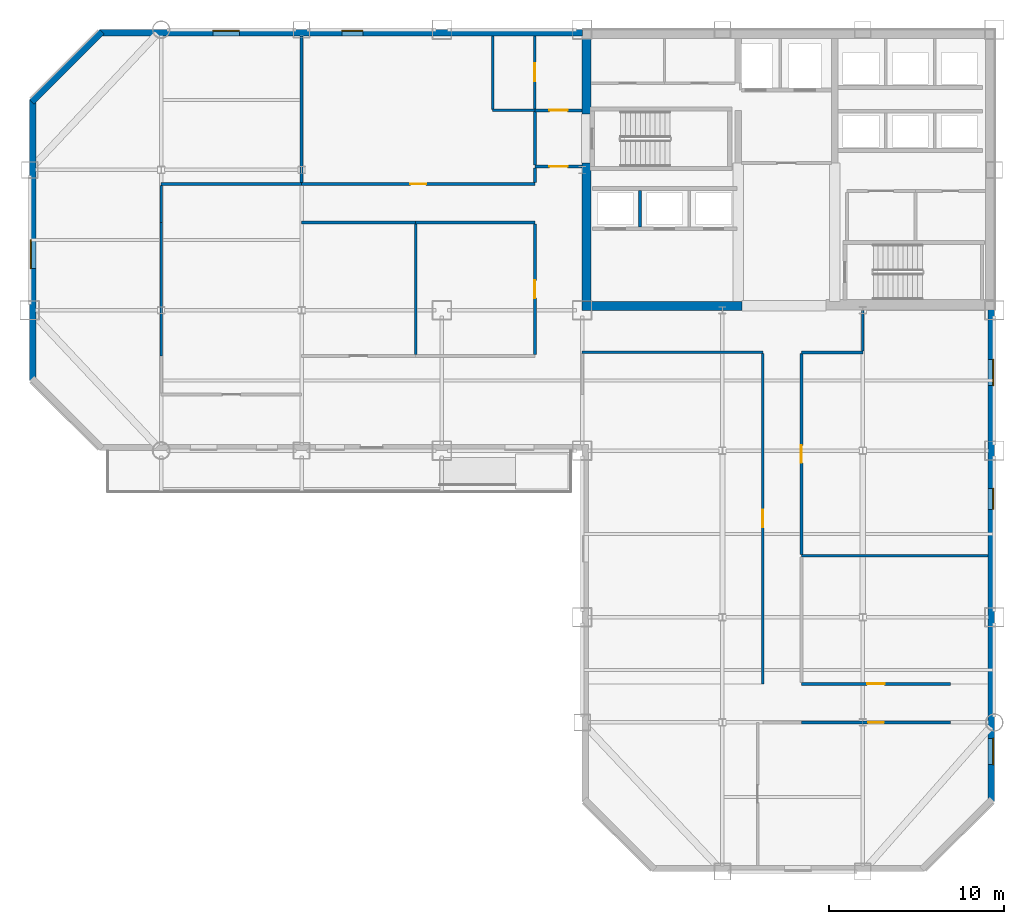
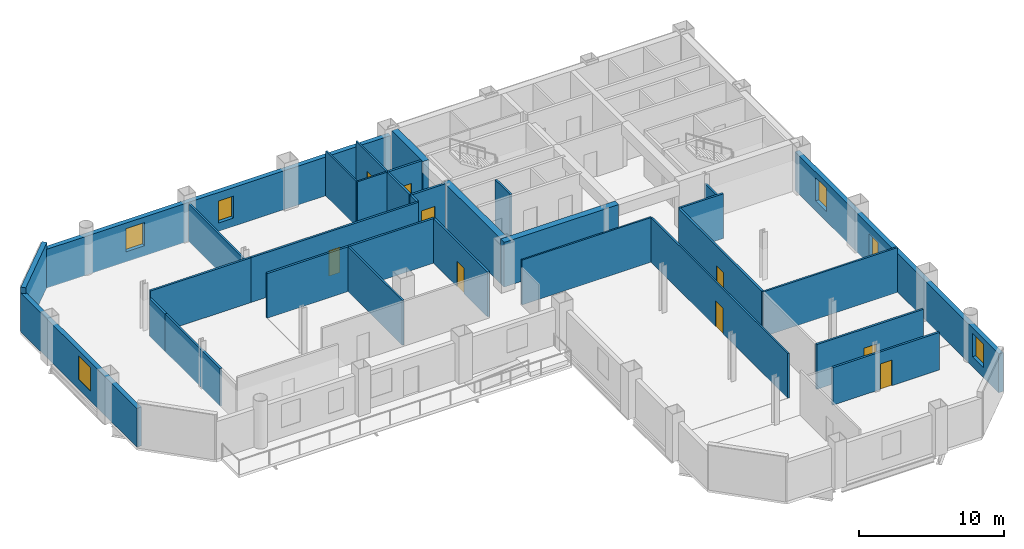
# One storey, part 6 of 10: 32 walls, 9 doors, 6 windows, 15 openings.
"""IFC4 building model written with IfcOpenShell, lengths in metres."""

from ifc_helpers import new_model, si_unit, direction, frame, frame_2d, origin, place, context, subcontext, project, spatial, rectangle, extrude, material, layer, layer_set, type_object, element, fill, save


model = new_model("IFC4")

# Units and contexts
model_context = context("Model", 3, precision=1e-05, world=origin(), true_north=direction((0.0, 1.0)))
body_context = subcontext(model_context, "Body", "Model", "MODEL_VIEW")
ifc_project = project(units=[si_unit("LENGTHUNIT", "METRE"), si_unit("AREAUNIT", "SQUARE_METRE"), si_unit("VOLUMEUNIT", "CUBIC_METRE"), si_unit("PLANEANGLEUNIT", "RADIAN"), si_unit("MASSUNIT", "GRAM", prefix="KILO")], contexts=[model_context])

# Site, building, storey
site_placement = place(None, origin())
site = spatial("IfcSite", under=ifc_project, at=site_placement, CompositionType="ELEMENT")
building_placement = place(site_placement, origin())
building = spatial("IfcBuilding", under=site, at=building_placement, Name="Qianrong Seaharbour Tower", CompositionType="ELEMENT")
storey_placement = place(building_placement, frame((0.0, 0.0, 151.0)))
storey = spatial("IfcBuildingStorey", under=building, at=storey_placement, Name="L36", CompositionType="ELEMENT", Elevation=151.0)

# Walls
ifc_material_1 = material(Name="Concrete C60/75", Category="concrete")
ifc_layer_1 = layer(ifc_material_1, 0.5)
ifc_layer_set_1 = layer_set([ifc_layer_1], Name="Concrete C60/75")
wall_type_1 = type_object("IfcWallType", Name="WALL-CORE-500", PredefinedType="SHEAR", material=ifc_layer_set_1)
wall_1_placement = place(storey_placement, frame((40.75, 36.5, 0.0), z_axis=(0.0, 0.0, 1.0), x_axis=(0.0, 1.0, 0.0)))
element("IfcWall", 1, at=wall_1_placement, inside=storey, type_object=wall_type_1, Name="L36 West Core Shear Wall South", PredefinedType="SHEAR", context=body_context, shape_type="SweptSolid", body=[
    extrude(rectangle(XDim=7.89990234375, YDim=0.5, at=frame_2d((3.949951171875, 0.0))), origin(), (0.0, 0.0, 1.0), 3.764892578125),
])
wall_2_placement = place(storey_placement, frame((40.75, 47.199951171875, 0.0), z_axis=(0.0, 0.0, 1.0), x_axis=(0.0, 1.0, 0.0)))
element("IfcWall", 2, at=wall_2_placement, inside=storey, type_object=wall_type_1, Name="L36 West Core Shear Wall North", PredefinedType="SHEAR", context=body_context, shape_type="SweptSolid", body=[
    extrude(rectangle(XDim=4.300048828125, YDim=0.5, at=frame_2d((2.14990234375, 0.0))), origin(), (0.0, 0.0, 1.0), 3.764892578125),
])
wall_3_placement = place(storey_placement, frame((40.5, 36.25, 0.0), z_axis=(0.0, 0.0, 1.0), x_axis=(1.0, 0.0, 0.0)))
element("IfcWall", 3, at=wall_3_placement, inside=storey, type_object=wall_type_1, Name="L36 South Core Shear Wall S1", PredefinedType="SHEAR", context=body_context, shape_type="SweptSolid", body=[
    extrude(rectangle(XDim=9.10009765625, YDim=0.5, at=frame_2d((4.550048828125, 0.0))), origin(), (0.0, 0.0, 1.0), 3.764892578125),
])

# Wall, opening, door
ifc_material_2 = material(Name="Fire-rated acoustic gypsum board partition")
ifc_layer_2 = layer(ifc_material_2, 0.1650390625)
ifc_layer_set_2 = layer_set([ifc_layer_2], Name="Fire-rated acoustic gypsum board partition")
wall_type_2 = type_object("IfcWallType", Name="WALL-CORR-PART-165", PredefinedType="PARTITIONING", material=ifc_layer_set_2)
wall_4_placement = place(storey_placement, frame((37.800048828125, 47.39990234375, 0.0), z_axis=(0.0, 0.0, 1.0), x_axis=(1.0, 0.0, 0.0)))
wall_4 = element("IfcWall", 4, at=wall_4_placement, inside=storey, type_object=wall_type_2, Name="L36 Interior Partition Wall 001", PredefinedType="PARTITIONING", context=body_context, shape_type="SweptSolid", body=[
    extrude(rectangle(XDim=2.699951171875, YDim=0.1650390625, at=frame_2d((1.35009765625, 0.0))), origin(), (0.0, 0.0, 1.0), 3.764892578125),
])
opening_1_placement = place(wall_4_placement, frame((0.824951171875, 0.0, 0.0)))
opening_1 = element("IfcOpeningElement", 5, at=opening_1_placement, cuts=wall_4, Name="Opening DC-01", PredefinedType="OPENING", context=body_context, shape_type="SweptSolid", body=[
    extrude(rectangle(XDim=1.050048828125, YDim=2.14990234375, at=frame_2d((0.52490234375, 1.074951171875))), frame((0.0, 0.092529296875, 0.0), z_axis=(0.0, -1.0, 0.0), x_axis=(1.0, 0.0, 0.0)), (0.0, 0.0, 1.0), 0.18505859375),
])
ifc_material_3 = material(Name="Acoustic timber and galvanized steel fire door assembly", Category="steel")
door_type_1 = type_object("IfcDoorType", Name="DOOR-CORR-FD60-1050x2150", OperationType="NOTDEFINED", PredefinedType="DOOR", material=ifc_material_3)
door_1_placement = place(opening_1_placement, origin())
door_1 = element("IfcDoor", 6, at=door_1_placement, inside=storey, type_object=door_type_1, Name="L36 Smokeproof Stair Vestibule ST-1 Door", OperationType="SINGLE_SWING_RIGHT", OverallHeight=2.14990234375, OverallWidth=1.050048828125, PredefinedType="DOOR", context=body_context, shape_type="SweptSolid", body=[
    extrude(rectangle(XDim=1.050048828125, YDim=2.14990234375, at=frame_2d((0.52490234375, 1.074951171875))), frame((0.0, 0.02490234375, 0.0), z_axis=(0.0, -1.0, 0.0), x_axis=(1.0, 0.0, 0.0)), (0.0, 0.0, 1.0), 0.050048828125),
])
fill(opening_1, door_1)

wall_5_placement = place(storey_placement, frame((40.5, 44.199951171875, 0.0), z_axis=(0.0, 0.0, 1.0), x_axis=(-1.0, 0.0, 0.0)))
wall_5 = element("IfcWall", 7, at=wall_5_placement, inside=storey, type_object=wall_type_2, Name="L36 Interior Partition Wall 002", PredefinedType="PARTITIONING", context=body_context, shape_type="SweptSolid", body=[
    extrude(rectangle(XDim=2.699951171875, YDim=0.1650390625, at=frame_2d((1.35009765625, 0.0))), origin(), (0.0, 0.0, 1.0), 3.764892578125),
])
opening_2_placement = place(wall_5_placement, frame((0.824951171875, 0.0, 0.0)))
opening_2 = element("IfcOpeningElement", 8, at=opening_2_placement, cuts=wall_5, Name="Opening DC-01", PredefinedType="OPENING", context=body_context, shape_type="SweptSolid", body=[
    extrude(rectangle(XDim=1.050048828125, YDim=2.14990234375, at=frame_2d((0.52490234375, 1.074951171875))), frame((0.0, 0.092529296875, 0.0), z_axis=(0.0, -1.0, 0.0), x_axis=(1.0, 0.0, 0.0)), (0.0, 0.0, 1.0), 0.18505859375),
])
door_2_placement = place(opening_2_placement, origin())
door_2 = element("IfcDoor", 9, at=door_2_placement, inside=storey, type_object=door_type_1, Name="L36 Smokeproof Stair Vestibule ST-1 Door", OperationType="SINGLE_SWING_LEFT", OverallHeight=2.14990234375, OverallWidth=1.050048828125, PredefinedType="DOOR", context=body_context, shape_type="SweptSolid", body=[
    extrude(rectangle(XDim=1.050048828125, YDim=2.14990234375, at=frame_2d((0.52490234375, 1.074951171875))), frame((0.0, 0.02490234375, 0.0), z_axis=(0.0, -1.0, 0.0), x_axis=(1.0, 0.0, 0.0)), (0.0, 0.0, 1.0), 0.050048828125),
])
fill(opening_2, door_2)

# Walls
wall_6_placement = place(storey_placement, frame((37.800048828125, 44.2744140625, 0.0), z_axis=(0.0, 0.0, 1.0), x_axis=(0.0, 1.0, 0.0)))
element("IfcWall", 10, at=wall_6_placement, inside=storey, type_object=wall_type_2, Name="L36 Interior Partition Wall 003", PredefinedType="PARTITIONING", context=body_context, shape_type="SweptSolid", body=[
    extrude(rectangle(XDim=3.051025390625, YDim=0.1650390625, at=frame_2d((1.525390625, 0.0))), origin(), (0.0, 0.0, 1.0), 3.764892578125),
])
wall_7_placement = place(storey_placement, frame((16.5, 41.0, 0.0), z_axis=(0.0, 0.0, 1.0), x_axis=(0.0, 1.0, 0.0)))
element("IfcWall", 11, at=wall_7_placement, inside=storey, type_object=wall_type_2, Name="L36 Interior Partition Wall 019", PredefinedType="PARTITIONING", context=body_context, shape_type="SweptSolid", body=[
    extrude(rectangle(XDim=2.12548828125, YDim=0.1650390625, at=frame_2d((1.062744140625, 0.0))), origin(), (0.0, 0.0, 1.0), 3.156982421875),
])
wall_8_placement = place(storey_placement, frame((16.5, 43.199951171875, 0.0), z_axis=(0.0, 0.0, 1.0), x_axis=(1.0, 0.0, 0.0)))
element("IfcWall", 12, at=wall_8_placement, inside=storey, type_object=wall_type_2, Name="L36 Interior Partition Wall 020", PredefinedType="PARTITIONING", context=body_context, shape_type="SweptSolid", body=[
    extrude(rectangle(XDim=8.0, YDim=0.1650390625, at=frame_2d((4.0, 0.0))), origin(), (0.0, 0.0, 1.0), 3.764892578125),
])

# Wall, opening, door
wall_9_placement = place(storey_placement, frame((24.5, 43.199951171875, 0.0), z_axis=(0.0, 0.0, 1.0), x_axis=(1.0, 0.0, 0.0)))
wall_9 = element("IfcWall", 13, at=wall_9_placement, inside=storey, type_object=wall_type_2, Name="L36 Interior Partition Wall 021", PredefinedType="PARTITIONING", context=body_context, shape_type="SweptSolid", body=[
    extrude(rectangle(XDim=13.300048828125, YDim=0.1650390625, at=frame_2d((6.64990234375, 0.0))), origin(), (0.0, 0.0, 1.0), 3.764892578125),
])
opening_3_placement = place(wall_9_placement, frame((6.199951171875, 0.0, 0.0)))
opening_3 = element("IfcOpeningElement", 14, at=opening_3_placement, cuts=wall_9, Name="Opening DS-01", PredefinedType="OPENING", context=body_context, shape_type="SweptSolid", body=[
    extrude(rectangle(XDim=0.89990234375, YDim=2.14990234375, at=frame_2d((0.449951171875, 1.074951171875))), frame((0.0, 0.092529296875, 0.0), z_axis=(0.0, -1.0, 0.0), x_axis=(1.0, 0.0, 0.0)), (0.0, 0.0, 1.0), 0.18505859375),
])
door_type_2 = type_object("IfcDoorType", Name="DOOR-STORE-900x2150", OperationType="NOTDEFINED", PredefinedType="DOOR", material=ifc_material_3)
door_3_placement = place(opening_3_placement, origin())
door_3 = element("IfcDoor", 15, at=door_3_placement, inside=storey, type_object=door_type_2, Name="L36 Corporate Archive Room Door", OperationType="SINGLE_SWING_RIGHT", OverallHeight=2.14990234375, OverallWidth=0.89990234375, PredefinedType="DOOR", context=body_context, shape_type="SweptSolid", body=[
    extrude(rectangle(XDim=0.89990234375, YDim=2.14990234375, at=frame_2d((0.449951171875, 1.074951171875))), frame((0.0, 0.02490234375, 0.0), z_axis=(0.0, -1.0, 0.0), x_axis=(1.0, 0.0, 0.0)), (0.0, 0.0, 1.0), 0.050048828125),
])
fill(opening_3, door_3)

# Walls
wall_10_placement = place(storey_placement, frame((31.0, 41.0, 0.0), z_axis=(0.0, 0.0, 1.0), x_axis=(-1.0, 0.0, 0.0)))
element("IfcWall", 16, at=wall_10_placement, inside=storey, type_object=wall_type_2, Name="L36 Interior Partition Wall 022", PredefinedType="PARTITIONING", context=body_context, shape_type="SweptSolid", body=[
    extrude(rectangle(XDim=6.5, YDim=0.1650390625, at=frame_2d((3.25, 0.0))), origin(), (0.0, 0.0, 1.0), 3.764892578125),
])
wall_11_placement = place(storey_placement, frame((37.800048828125, 41.0, 0.0), z_axis=(0.0, 0.0, 1.0), x_axis=(-1.0, 0.0, 0.0)))
element("IfcWall", 17, at=wall_11_placement, inside=storey, type_object=wall_type_2, Name="L36 Interior Partition Wall 023", PredefinedType="PARTITIONING", context=body_context, shape_type="SweptSolid", body=[
    extrude(rectangle(XDim=6.800048828125, YDim=0.1650390625, at=frame_2d((3.39990234375, 0.0))), origin(), (0.0, 0.0, 1.0), 3.764892578125),
])
wall_12_placement = place(storey_placement, frame((16.5, 33.39990234375, 0.0), z_axis=(0.0, 0.0, 1.0), x_axis=(0.0, 1.0, 0.0)))
element("IfcWall", 18, at=wall_12_placement, inside=storey, type_object=wall_type_2, Name="L36 Interior Partition Wall 024", PredefinedType="PARTITIONING", context=body_context, shape_type="SweptSolid", body=[
    extrude(rectangle(XDim=7.60009765625, YDim=0.1650390625, at=frame_2d((3.800048828125, 0.0))), origin(), (0.0, 0.0, 1.0), 3.156982421875),
])
wall_13_placement = place(storey_placement, frame((37.800048828125, 43.2744140625, 0.0), z_axis=(0.0, 0.0, 1.0), x_axis=(0.0, 1.0, 0.0)))
element("IfcWall", 19, at=wall_13_placement, inside=storey, type_object=wall_type_2, Name="L36 Interior Partition Wall 025", PredefinedType="PARTITIONING", context=body_context, shape_type="SweptSolid", body=[
    extrude(rectangle(XDim=0.85107421875, YDim=0.1650390625, at=frame_2d((0.425537109375, 0.0))), origin(), (0.0, 0.0, 1.0), 3.764892578125),
])

# Wall, opening, door
wall_14_placement = place(storey_placement, frame((37.800048828125, 33.474609375, 0.0), z_axis=(0.0, 0.0, 1.0), x_axis=(0.0, 1.0, 0.0)))
wall_14 = element("IfcWall", 20, at=wall_14_placement, inside=storey, type_object=wall_type_2, Name="L36 Interior Partition Wall 026", PredefinedType="PARTITIONING", context=body_context, shape_type="SweptSolid", body=[
    extrude(rectangle(XDim=7.450927734375, YDim=0.1650390625, at=frame_2d((3.7255859375, 0.0))), origin(), (0.0, 0.0, 1.0), 3.764892578125),
])
opening_4_placement = place(wall_14_placement, frame((3.2255859375, 0.0, 0.0)))
opening_4 = element("IfcOpeningElement", 21, at=opening_4_placement, cuts=wall_14, Name="Opening DO-01", PredefinedType="OPENING", context=body_context, shape_type="SweptSolid", body=[
    extrude(rectangle(XDim=1.0, YDim=2.14990234375, at=frame_2d((0.5, 1.074951171875))), frame((0.0, 0.092529296875, 0.0), z_axis=(0.0, -1.0, 0.0), x_axis=(1.0, 0.0, 0.0)), (0.0, 0.0, 1.0), 0.18505859375),
])
door_type_3 = type_object("IfcDoorType", Name="DOOR-OFFICE-1000x2150", OperationType="NOTDEFINED", PredefinedType="DOOR", material=ifc_material_3)
door_4_placement = place(opening_4_placement, origin())
door_4 = element("IfcDoor", 22, at=door_4_placement, inside=storey, type_object=door_type_3, Name="L36 Digital Media Hall 2 Door", OperationType="SINGLE_SWING_RIGHT", OverallHeight=2.14990234375, OverallWidth=1.0, PredefinedType="DOOR", context=body_context, shape_type="SweptSolid", body=[
    extrude(rectangle(XDim=1.0, YDim=2.14990234375, at=frame_2d((0.5, 1.074951171875))), frame((0.0, 0.02490234375, 0.0), z_axis=(0.0, -1.0, 0.0), x_axis=(1.0, 0.0, 0.0)), (0.0, 0.0, 1.0), 0.050048828125),
])
fill(opening_4, door_4)

# Walls
wall_15_placement = place(storey_placement, frame((56.5, 36.0, 0.0), z_axis=(0.0, 0.0, 1.0), x_axis=(0.0, -1.0, 0.0)))
element("IfcWall", 23, at=wall_15_placement, inside=storey, type_object=wall_type_2, Name="L36 Interior Partition Wall 028", PredefinedType="PARTITIONING", context=body_context, shape_type="SweptSolid", body=[
    extrude(rectangle(XDim=2.325439453125, YDim=0.1650390625, at=frame_2d((1.16259765625, 0.0))), origin(), (0.0, 0.0, 1.0), 3.156982421875),
])
wall_16_placement = place(storey_placement, frame((56.5, 33.60009765625, 0.0), z_axis=(0.0, 0.0, 1.0), x_axis=(-1.0, 0.0, 0.0)))
element("IfcWall", 24, at=wall_16_placement, inside=storey, type_object=wall_type_2, Name="L36 Interior Partition Wall 029", PredefinedType="PARTITIONING", context=body_context, shape_type="SweptSolid", body=[
    extrude(rectangle(XDim=3.5, YDim=0.1650390625, at=frame_2d((1.75, 0.0))), origin(), (0.0, 0.0, 1.0), 3.764892578125),
])

# Wall, opening, door
wall_17_placement = place(storey_placement, frame((53.0, 33.525390625, 0.0), z_axis=(0.0, 0.0, 1.0), x_axis=(0.0, -1.0, 0.0)))
wall_17 = element("IfcWall", 25, at=wall_17_placement, inside=storey, type_object=wall_type_2, Name="L36 Interior Partition Wall 031", PredefinedType="PARTITIONING", context=body_context, shape_type="SweptSolid", body=[
    extrude(rectangle(XDim=11.4609375, YDim=0.1650390625, at=frame_2d((5.73046875, 0.0))), origin(), (0.0, 0.0, 1.0), 3.764892578125),
])
opening_5_placement = place(wall_17_placement, frame((5.23046875, 0.0, 0.0)))
opening_5 = element("IfcOpeningElement", 26, at=opening_5_placement, cuts=wall_17, Name="Opening DO-01", PredefinedType="OPENING", context=body_context, shape_type="SweptSolid", body=[
    extrude(rectangle(XDim=1.0, YDim=2.14990234375, at=frame_2d((0.5, 1.074951171875))), frame((0.0, 0.092529296875, 0.0), z_axis=(0.0, -1.0, 0.0), x_axis=(1.0, 0.0, 0.0)), (0.0, 0.0, 1.0), 0.18505859375),
])
door_5_placement = place(opening_5_placement, origin())
door_5 = element("IfcDoor", 27, at=door_5_placement, inside=storey, type_object=door_type_3, Name="L36 Staff Club Assembly Hall Door", OperationType="SINGLE_SWING_LEFT", OverallHeight=2.14990234375, OverallWidth=1.0, PredefinedType="DOOR", context=body_context, shape_type="SweptSolid", body=[
    extrude(rectangle(XDim=1.0, YDim=2.14990234375, at=frame_2d((0.5, 1.074951171875))), frame((0.0, 0.02490234375, 0.0), z_axis=(0.0, -1.0, 0.0), x_axis=(1.0, 0.0, 0.0)), (0.0, 0.0, 1.0), 0.050048828125),
])
fill(opening_5, door_5)

wall_18_placement = place(storey_placement, frame((53.0, 14.699951171875, 0.0), z_axis=(0.0, 0.0, 1.0), x_axis=(1.0, 0.0, 0.0)))
wall_18 = element("IfcWall", 28, at=wall_18_placement, inside=storey, type_object=wall_type_2, Name="L36 Interior Partition Wall 035", PredefinedType="PARTITIONING", context=body_context, shape_type="SweptSolid", body=[
    extrude(rectangle(XDim=8.5, YDim=0.1650390625, at=frame_2d((4.25, 0.0))), origin(), (0.0, 0.0, 1.0), 3.764892578125),
])
opening_6_placement = place(wall_18_placement, frame((3.75, 0.0, 0.0)))
opening_6 = element("IfcOpeningElement", 29, at=opening_6_placement, cuts=wall_18, Name="Opening DO-01", PredefinedType="OPENING", context=body_context, shape_type="SweptSolid", body=[
    extrude(rectangle(XDim=1.0, YDim=2.14990234375, at=frame_2d((0.5, 1.074951171875))), frame((0.0, 0.092529296875, 0.0), z_axis=(0.0, -1.0, 0.0), x_axis=(1.0, 0.0, 0.0)), (0.0, 0.0, 1.0), 0.18505859375),
])
door_6_placement = place(opening_6_placement, origin())
door_6 = element("IfcDoor", 30, at=door_6_placement, inside=storey, type_object=door_type_3, Name="L36 Focus Room 1 Door", OperationType="SINGLE_SWING_RIGHT", OverallHeight=2.14990234375, OverallWidth=1.0, PredefinedType="DOOR", context=body_context, shape_type="SweptSolid", body=[
    extrude(rectangle(XDim=1.0, YDim=2.14990234375, at=frame_2d((0.5, 1.074951171875))), frame((0.0, 0.02490234375, 0.0), z_axis=(0.0, -1.0, 0.0), x_axis=(1.0, 0.0, 0.0)), (0.0, 0.0, 1.0), 0.050048828125),
])
fill(opening_6, door_6)

wall_19_placement = place(storey_placement, frame((61.5, 12.5, 0.0), z_axis=(0.0, 0.0, 1.0), x_axis=(-1.0, 0.0, 0.0)))
wall_19 = element("IfcWall", 31, at=wall_19_placement, inside=storey, type_object=wall_type_2, Name="L36 Interior Partition Wall 036", PredefinedType="PARTITIONING", context=body_context, shape_type="SweptSolid", body=[
    extrude(rectangle(XDim=8.5, YDim=0.1650390625, at=frame_2d((4.25, 0.0))), origin(), (0.0, 0.0, 1.0), 3.156982421875),
])
opening_7_placement = place(wall_19_placement, frame((3.800048828125, 0.0, 0.0)))
opening_7 = element("IfcOpeningElement", 32, at=opening_7_placement, cuts=wall_19, Name="Opening DS-01", PredefinedType="OPENING", context=body_context, shape_type="SweptSolid", body=[
    extrude(rectangle(XDim=0.89990234375, YDim=2.14990234375, at=frame_2d((0.449951171875, 1.074951171875))), frame((0.0, 0.092529296875, 0.0), z_axis=(0.0, -1.0, 0.0), x_axis=(1.0, 0.0, 0.0)), (0.0, 0.0, 1.0), 0.18505859375),
])
door_7_placement = place(opening_7_placement, origin())
door_7 = element("IfcDoor", 33, at=door_7_placement, inside=storey, type_object=door_type_2, Name="L36 Corporate Archive Room 2 Door", OperationType="SINGLE_SWING_LEFT", OverallHeight=2.14990234375, OverallWidth=0.89990234375, PredefinedType="DOOR", context=body_context, shape_type="SweptSolid", body=[
    extrude(rectangle(XDim=0.89990234375, YDim=2.14990234375, at=frame_2d((0.449951171875, 1.074951171875))), frame((0.0, 0.02490234375, 0.0), z_axis=(0.0, -1.0, 0.0), x_axis=(1.0, 0.0, 0.0)), (0.0, 0.0, 1.0), 0.050048828125),
])
fill(opening_7, door_7)

# Wall, opening, window
ifc_material_4 = material(Name="Unitised red brick on Precast concrete C45/55", Category="masonry")
ifc_layer_3 = layer(ifc_material_4, 0.360107421875)
ifc_layer_set_3 = layer_set([ifc_layer_3], Name="Unitised red brick on Precast concrete C45/55")
wall_type_3 = type_object("IfcWallType", Name="WALL-EXT-BRICK-RED-360", PredefinedType="SOLIDWALL", material=ifc_layer_set_3)
wall_20_placement = place(storey_placement, frame((9.179931640625, 32.0, 0.0), z_axis=(0.0, 0.0, 1.0), x_axis=(0.0, 1.0, 0.0)))
wall_20 = element("IfcWall", 34, at=wall_20_placement, inside=storey, type_object=wall_type_3, Name="L36 Exterior Masonry Facade Wall WEST_TIP", PredefinedType="SOLIDWALL", context=body_context, shape_type="SweptSolid", body=[
    extrude(rectangle(XDim=16.0, YDim=0.360107421875, at=frame_2d((8.0, 0.0))), origin(), (0.0, 0.0, 1.0), 3.264892578125),
])
opening_8_placement = place(wall_20_placement, frame((6.375, 0.0, 0.85009765625)))
opening_8 = element("IfcOpeningElement", 35, at=opening_8_placement, cuts=wall_20, Name="Opening WN-04", PredefinedType="OPENING", context=body_context, shape_type="SweptSolid", body=[
    extrude(rectangle(XDim=1.64990234375, YDim=1.949951171875, at=frame_2d((0.824951171875, 0.97509765625))), frame((0.0, 0.18994140625, 0.0), z_axis=(0.0, -1.0, 0.0), x_axis=(1.0, 0.0, 0.0)), (0.0, 0.0, 1.0), 0.380126953125),
])
ifc_material_5 = material(Name="Insulated low-e double glazing in thermally broken aluminium 6063-T6 frame", Category="aluminium")
window_type_1 = type_object("IfcWindowType", Name="WIN-PUNCH-1650x1950", PartitioningType="DOUBLE_PANEL_VERTICAL", PredefinedType="WINDOW", material=ifc_material_5)
window_1_placement = place(opening_8_placement, origin())
window_1 = element("IfcWindow", 36, at=window_1_placement, inside=storey, type_object=window_type_1, Name="L36 Deep-Set Punched Window 03.02", OverallHeight=1.949951171875, OverallWidth=1.64990234375, PartitioningType="DOUBLE_PANEL_VERTICAL", PredefinedType="WINDOW", context=body_context, shape_type="SweptSolid", body=[
    extrude(rectangle(XDim=1.64990234375, YDim=1.949951171875, at=frame_2d((0.824951171875, 0.97509765625))), frame((0.0, 0.150146484375, 0.0), z_axis=(0.0, -1.0, 0.0), x_axis=(1.0, 0.0, 0.0)), (0.0, 0.0, 1.0), 0.06005859375),
])
fill(opening_8, window_1)

# Wall
wall_21_placement = place(storey_placement, frame((9.127197265625, 47.872802734375, 0.0), z_axis=(0.0, 0.0, 1.0), x_axis=(0.707106781187, 0.707106781187, 0.0)))
element("IfcWall", 37, at=wall_21_placement, inside=storey, type_object=wall_type_3, Name="L36 Exterior Masonry Facade Wall E04", PredefinedType="SOLIDWALL", context=body_context, shape_type="SweptSolid", body=[
    extrude(rectangle(XDim=5.65673828125, YDim=0.360107421875, at=frame_2d((2.828369140625, 0.0))), origin(), (0.0, 0.0, 1.0), 3.764892578125),
])

# Wall, openings, windows
wall_22_placement = place(storey_placement, frame((13.0, 51.820068359375, 0.0), z_axis=(0.0, 0.0, 1.0), x_axis=(1.0, 0.0, 0.0)))
wall_22 = element("IfcWall", 38, at=wall_22_placement, inside=storey, type_object=wall_type_3, Name="L36 Exterior Masonry Facade Wall NORTH_WING", PredefinedType="SOLIDWALL", context=body_context, shape_type="SweptSolid", body=[
    extrude(rectangle(XDim=27.52001953125, YDim=0.360107421875, at=frame_2d((13.760009765625, 0.0))), origin(), (0.0, 0.0, 1.0), 3.264892578125),
])
opening_9_placement = place(wall_22_placement, frame((6.449951171875, 0.0, 0.85009765625)))
opening_9 = element("IfcOpeningElement", 39, at=opening_9_placement, cuts=wall_22, Name="Opening WN-03", PredefinedType="OPENING", context=body_context, shape_type="SweptSolid", body=[
    extrude(rectangle(XDim=1.5, YDim=1.949951171875, at=frame_2d((0.75, 0.97509765625))), frame((0.0, 0.18994140625, 0.0), z_axis=(0.0, -1.0, 0.0), x_axis=(1.0, 0.0, 0.0)), (0.0, 0.0, 1.0), 0.380126953125),
])
opening_10_placement = place(wall_22_placement, frame((13.800048828125, 0.0, 0.699951171875)))
opening_10 = element("IfcOpeningElement", 40, at=opening_10_placement, cuts=wall_22, Name="Opening WN-01", PredefinedType="OPENING", context=body_context, shape_type="SweptSolid", body=[
    extrude(rectangle(XDim=1.199951171875, YDim=1.85009765625, at=frame_2d((0.60009765625, 0.925048828125))), frame((0.0, 0.18994140625, 0.0), z_axis=(0.0, -1.0, 0.0), x_axis=(1.0, 0.0, 0.0)), (0.0, 0.0, 1.0), 0.380126953125),
])
window_type_2 = type_object("IfcWindowType", Name="WIN-PUNCH-1200x1850", PartitioningType="DOUBLE_PANEL_VERTICAL", PredefinedType="WINDOW", material=ifc_material_5)
window_2_placement = place(opening_10_placement, origin())
window_2 = element("IfcWindow", 41, at=window_2_placement, inside=storey, type_object=window_type_2, Name="L36 Deep-Set Punched Window 05.04", OverallHeight=1.85009765625, OverallWidth=1.199951171875, PartitioningType="DOUBLE_PANEL_VERTICAL", PredefinedType="WINDOW", context=body_context, shape_type="SweptSolid", body=[
    extrude(rectangle(XDim=1.199951171875, YDim=1.85009765625, at=frame_2d((0.60009765625, 0.925048828125))), frame((0.0, 0.150146484375, 0.0), z_axis=(0.0, -1.0, 0.0), x_axis=(1.0, 0.0, 0.0)), (0.0, 0.0, 1.0), 0.06005859375),
])
fill(opening_10, window_2)
window_type_3 = type_object("IfcWindowType", Name="WIN-PUNCH-1500x1950", PartitioningType="DOUBLE_PANEL_VERTICAL", PredefinedType="WINDOW", material=ifc_material_5)
window_3_placement = place(opening_9_placement, origin())
window_3 = element("IfcWindow", 42, at=window_3_placement, inside=storey, type_object=window_type_3, Name="L36 Deep-Set Punched Window 05.02", OverallHeight=1.949951171875, OverallWidth=1.5, PartitioningType="DOUBLE_PANEL_VERTICAL", PredefinedType="WINDOW", context=body_context, shape_type="SweptSolid", body=[
    extrude(rectangle(XDim=1.5, YDim=1.949951171875, at=frame_2d((0.75, 0.97509765625))), frame((0.0, 0.150146484375, 0.0), z_axis=(0.0, -1.0, 0.0), x_axis=(1.0, 0.0, 0.0)), (0.0, 0.0, 1.0), 0.06005859375),
])
fill(opening_9, window_3)

wall_23_placement = place(storey_placement, frame((63.820068359375, 36.050048828125, 0.0), z_axis=(0.0, 0.0, 1.0), x_axis=(0.0, -1.0, 0.0)))
wall_23 = element("IfcWall", 43, at=wall_23_placement, inside=storey, type_object=wall_type_3, Name="L36 Exterior Masonry Facade Wall EAST_WING", PredefinedType="SOLIDWALL", context=body_context, shape_type="SweptSolid", body=[
    extrude(rectangle(XDim=28.050048828125, YDim=0.360107421875, at=frame_2d((14.02490234375, 0.0))), origin(), (0.0, 0.0, 1.0), 3.264892578125),
])
opening_11_placement = place(wall_23_placement, frame((2.85009765625, 0.0, 0.85009765625)))
opening_11 = element("IfcOpeningElement", 44, at=opening_11_placement, cuts=wall_23, Name="Opening WN-03", PredefinedType="OPENING", context=body_context, shape_type="SweptSolid", body=[
    extrude(rectangle(XDim=1.5, YDim=1.949951171875, at=frame_2d((0.75, 0.97509765625))), frame((0.0, 0.18994140625, 0.0), z_axis=(0.0, -1.0, 0.0), x_axis=(1.0, 0.0, 0.0)), (0.0, 0.0, 1.0), 0.380126953125),
])
opening_12_placement = place(wall_23_placement, frame((10.199951171875, 0.0, 0.699951171875)))
opening_12 = element("IfcOpeningElement", 45, at=opening_12_placement, cuts=wall_23, Name="Opening WN-01", PredefinedType="OPENING", context=body_context, shape_type="SweptSolid", body=[
    extrude(rectangle(XDim=1.199951171875, YDim=1.85009765625, at=frame_2d((0.60009765625, 0.925048828125))), frame((0.0, 0.18994140625, 0.0), z_axis=(0.0, -1.0, 0.0), x_axis=(1.0, 0.0, 0.0)), (0.0, 0.0, 1.0), 0.380126953125),
])
opening_13_placement = place(wall_23_placement, frame((24.449951171875, 0.0, 0.85009765625)))
opening_13 = element("IfcOpeningElement", 46, at=opening_13_placement, cuts=wall_23, Name="Opening WN-03", PredefinedType="OPENING", context=body_context, shape_type="SweptSolid", body=[
    extrude(rectangle(XDim=1.5, YDim=1.949951171875, at=frame_2d((0.75, 0.97509765625))), frame((0.0, 0.18994140625, 0.0), z_axis=(0.0, -1.0, 0.0), x_axis=(1.0, 0.0, 0.0)), (0.0, 0.0, 1.0), 0.380126953125),
])
window_4_placement = place(opening_12_placement, origin())
window_4 = element("IfcWindow", 47, at=window_4_placement, inside=storey, type_object=window_type_2, Name="L36 Deep-Set Punched Window 06.03", OverallHeight=1.85009765625, OverallWidth=1.199951171875, PartitioningType="DOUBLE_PANEL_VERTICAL", PredefinedType="WINDOW", context=body_context, shape_type="SweptSolid", body=[
    extrude(rectangle(XDim=1.199951171875, YDim=1.85009765625, at=frame_2d((0.60009765625, 0.925048828125))), frame((0.0, 0.150146484375, 0.0), z_axis=(0.0, -1.0, 0.0), x_axis=(1.0, 0.0, 0.0)), (0.0, 0.0, 1.0), 0.06005859375),
])
fill(opening_12, window_4)
window_5_placement = place(opening_11_placement, origin())
window_5 = element("IfcWindow", 48, at=window_5_placement, inside=storey, type_object=window_type_3, Name="L36 Deep-Set Punched Window 06.01", OverallHeight=1.949951171875, OverallWidth=1.5, PartitioningType="DOUBLE_PANEL_VERTICAL", PredefinedType="WINDOW", context=body_context, shape_type="SweptSolid", body=[
    extrude(rectangle(XDim=1.5, YDim=1.949951171875, at=frame_2d((0.75, 0.97509765625))), frame((0.0, 0.150146484375, 0.0), z_axis=(0.0, -1.0, 0.0), x_axis=(1.0, 0.0, 0.0)), (0.0, 0.0, 1.0), 0.06005859375),
])
fill(opening_11, window_5)
window_6_placement = place(opening_13_placement, origin())
window_6 = element("IfcWindow", 49, at=window_6_placement, inside=storey, type_object=window_type_3, Name="L36 Deep-Set Punched Window 06.07", OverallHeight=1.949951171875, OverallWidth=1.5, PartitioningType="DOUBLE_PANEL_VERTICAL", PredefinedType="WINDOW", context=body_context, shape_type="SweptSolid", body=[
    extrude(rectangle(XDim=1.5, YDim=1.949951171875, at=frame_2d((0.75, 0.97509765625))), frame((0.0, 0.150146484375, 0.0), z_axis=(0.0, -1.0, 0.0), x_axis=(1.0, 0.0, 0.0)), (0.0, 0.0, 1.0), 0.06005859375),
])
fill(opening_13, window_6)

# Walls
ifc_material_6 = material(Name="Acoustic gypsum board stud partition")
ifc_layer_4 = layer(ifc_material_6, 0.14501953125)
ifc_layer_set_4 = layer_set([ifc_layer_4], Name="Acoustic gypsum board stud partition")
wall_type_4 = type_object("IfcWallType", Name="WALL-OFFICE-PART-145", PredefinedType="PARTITIONING", material=ifc_layer_set_4)
wall_24_placement = place(storey_placement, frame((24.5, 51.64794921875, 0.0), z_axis=(0.0, 0.0, 1.0), x_axis=(0.0, -1.0, 0.0)))
element("IfcWall", 50, at=wall_24_placement, inside=storey, type_object=wall_type_4, Name="L36 Interior Partition Wall 037", PredefinedType="PARTITIONING", context=body_context, shape_type="SweptSolid", body=[
    extrude(rectangle(XDim=8.37353515625, YDim=0.14501953125, at=frame_2d((4.186767578125, 0.0))), origin(), (0.0, 0.0, 1.0), 3.156982421875),
])
wall_25_placement = place(storey_placement, frame((31.0, 40.925537109375, 0.0), z_axis=(0.0, 0.0, 1.0), x_axis=(0.0, -1.0, 0.0)))
element("IfcWall", 51, at=wall_25_placement, inside=storey, type_object=wall_type_4, Name="L36 Interior Partition Wall 038", PredefinedType="PARTITIONING", context=body_context, shape_type="SweptSolid", body=[
    extrude(rectangle(XDim=7.450927734375, YDim=0.14501953125, at=frame_2d((3.7255859375, 0.0))), origin(), (0.0, 0.0, 1.0), 3.764892578125),
])
wall_26_placement = place(storey_placement, frame((63.64794921875, 22.0, 0.0), z_axis=(0.0, 0.0, 1.0), x_axis=(-1.0, 0.0, 0.0)))
element("IfcWall", 52, at=wall_26_placement, inside=storey, type_object=wall_type_4, Name="L36 Interior Partition Wall 039", PredefinedType="PARTITIONING", context=body_context, shape_type="SweptSolid", body=[
    extrude(rectangle(XDim=10.64794921875, YDim=0.14501953125, at=frame_2d((5.323974609375, 0.0))), origin(), (0.0, 0.0, 1.0), 3.764892578125),
])
ifc_material_7 = material(Name="Fire-rated gypsum board on steel studs", Category="steel")
ifc_layer_5 = layer(ifc_material_7, 0.14990234375)
ifc_layer_set_5 = layer_set([ifc_layer_5], Name="Fire-rated gypsum board on steel studs")
wall_type_5 = type_object("IfcWallType", Name="WALL-SHAFT-DIV-150", PredefinedType="PARTITIONING", material=ifc_layer_set_5)
wall_27_placement = place(storey_placement, frame((43.800048828125, 40.760009765625, 0.0), z_axis=(0.0, 0.0, 1.0), x_axis=(0.0, 1.0, 0.0)))
element("IfcWall", 53, at=wall_27_placement, inside=storey, type_object=wall_type_5, Name="L36 P2 Lift Hoistway Divider 2", PredefinedType="PARTITIONING", context=body_context, shape_type="SweptSolid", body=[
    extrude(rectangle(XDim=2.080078125, YDim=0.14990234375, at=frame_2d((1.0400390625, 0.0))), origin(), (0.0, 0.0, 1.0), 3.764892578125),
])

# Wall, opening, door
ifc_material_8 = material(Name="Water-resistant cement board sanitary partition")
ifc_layer_6 = layer(ifc_material_8, 0.1298828125)
ifc_layer_set_6 = layer_set([ifc_layer_6], Name="Water-resistant cement board sanitary partition")
wall_type_6 = type_object("IfcWallType", Name="WALL-WET-PART-130", PredefinedType="PARTITIONING", material=ifc_layer_set_6)
wall_28_placement = place(storey_placement, frame((37.800048828125, 47.474609375, 0.0), z_axis=(0.0, 0.0, 1.0), x_axis=(0.0, 1.0, 0.0)))
wall_28 = element("IfcWall", 54, at=wall_28_placement, inside=storey, type_object=wall_type_6, Name="L36 Interior Partition Wall 004", PredefinedType="PARTITIONING", context=body_context, shape_type="SweptSolid", body=[
    extrude(rectangle(XDim=4.17333984375, YDim=0.1298828125, at=frame_2d((2.086669921875, 0.0))), origin(), (0.0, 0.0, 1.0), 3.764892578125),
])
opening_14_placement = place(wall_28_placement, frame((1.57666015625, 0.0, 0.0)))
opening_14 = element("IfcOpeningElement", 55, at=opening_14_placement, cuts=wall_28, Name="Opening DAW-01", PredefinedType="OPENING", context=body_context, shape_type="SweptSolid", body=[
    extrude(rectangle(XDim=1.02001953125, YDim=2.14990234375, at=frame_2d((0.510009765625, 1.074951171875))), frame((0.0, 0.074951171875, 0.0), z_axis=(0.0, -1.0, 0.0), x_axis=(1.0, 0.0, 0.0)), (0.0, 0.0, 1.0), 0.14990234375),
])
door_type_4 = type_object("IfcDoorType", Name="DOOR-AWC-SLIDE-1020x2150", OperationType="SLIDING_TO_LEFT", PredefinedType="DOOR", material=ifc_material_3)
door_8_placement = place(opening_14_placement, origin())
door_8 = element("IfcDoor", 56, at=door_8_placement, inside=storey, type_object=door_type_4, Name="L36 Accessible Restroom WC Door", OperationType="SLIDING_TO_LEFT", OverallHeight=2.14990234375, OverallWidth=1.02001953125, PredefinedType="DOOR", context=body_context, shape_type="SweptSolid", body=[
    extrude(rectangle(XDim=1.02001953125, YDim=2.14990234375, at=frame_2d((0.510009765625, 1.074951171875))), frame((0.0, 0.02490234375, 0.0), z_axis=(0.0, -1.0, 0.0), x_axis=(1.0, 0.0, 0.0)), (0.0, 0.0, 1.0), 0.050048828125),
])
fill(opening_14, door_8)

# Walls
wall_29_placement = place(storey_placement, frame((37.800048828125, 47.39990234375, 0.0), z_axis=(0.0, 0.0, 1.0), x_axis=(-1.0, 0.0, 0.0)))
element("IfcWall", 57, at=wall_29_placement, inside=storey, type_object=wall_type_6, Name="L36 Interior Partition Wall 005", PredefinedType="PARTITIONING", context=body_context, shape_type="SweptSolid", body=[
    extrude(rectangle(XDim=2.400146484375, YDim=0.1298828125, at=frame_2d((1.2001953125, 0.0))), origin(), (0.0, 0.0, 1.0), 3.764892578125),
])
wall_30_placement = place(storey_placement, frame((35.39990234375, 47.45703125, 0.0), z_axis=(0.0, 0.0, 1.0), x_axis=(0.0, 1.0, 0.0)))
element("IfcWall", 58, at=wall_30_placement, inside=storey, type_object=wall_type_6, Name="L36 Interior Partition Wall 006", PredefinedType="PARTITIONING", context=body_context, shape_type="SweptSolid", body=[
    extrude(rectangle(XDim=4.19091796875, YDim=0.1298828125, at=frame_2d((2.095458984375, 0.0))), origin(), (0.0, 0.0, 1.0), 3.764892578125),
])
wall_31_placement = place(storey_placement, frame((50.800048828125, 33.60009765625, 0.0), z_axis=(0.0, 0.0, 1.0), x_axis=(-1.0, 0.0, 0.0)))
element("IfcWall", 59, at=wall_31_placement, inside=storey, type_object=wall_type_6, Name="L36 Interior Partition Wall 030", PredefinedType="PARTITIONING", context=body_context, shape_type="SweptSolid", body=[
    extrude(rectangle(XDim=10.300048828125, YDim=0.1298828125, at=frame_2d((5.14990234375, 0.0))), origin(), (0.0, 0.0, 1.0), 3.764892578125),
])

# Wall, opening, door
wall_32_placement = place(storey_placement, frame((50.800048828125, 14.699951171875, 0.0), z_axis=(0.0, 0.0, 1.0), x_axis=(0.0, 1.0, 0.0)))
wall_32 = element("IfcWall", 60, at=wall_32_placement, inside=storey, type_object=wall_type_6, Name="L36 Interior Partition Wall 033", PredefinedType="PARTITIONING", context=body_context, shape_type="SweptSolid", body=[
    extrude(rectangle(XDim=18.843017578125, YDim=0.1298828125, at=frame_2d((9.42138671875, 0.0))), origin(), (0.0, 0.0, 1.0), 3.764892578125),
])
opening_15_placement = place(wall_32_placement, frame((8.92138671875, 0.0, 0.0)))
opening_15 = element("IfcOpeningElement", 61, at=opening_15_placement, cuts=wall_32, Name="Opening DO-01", PredefinedType="OPENING", context=body_context, shape_type="SweptSolid", body=[
    extrude(rectangle(XDim=1.0, YDim=2.14990234375, at=frame_2d((0.5, 1.074951171875))), frame((0.0, 0.074951171875, 0.0), z_axis=(0.0, -1.0, 0.0), x_axis=(1.0, 0.0, 0.0)), (0.0, 0.0, 1.0), 0.14990234375),
])
door_9_placement = place(opening_15_placement, origin())
door_9 = element("IfcDoor", 62, at=door_9_placement, inside=storey, type_object=door_type_3, Name="L36 Wet Pantry Door", OperationType="SINGLE_SWING_LEFT", OverallHeight=2.14990234375, OverallWidth=1.0, PredefinedType="DOOR", context=body_context, shape_type="SweptSolid", body=[
    extrude(rectangle(XDim=1.0, YDim=2.14990234375, at=frame_2d((0.5, 1.074951171875))), frame((0.0, 0.02490234375, 0.0), z_axis=(0.0, -1.0, 0.0), x_axis=(1.0, 0.0, 0.0)), (0.0, 0.0, 1.0), 0.050048828125),
])
fill(opening_15, door_9)

save(model, "model.ifc")
